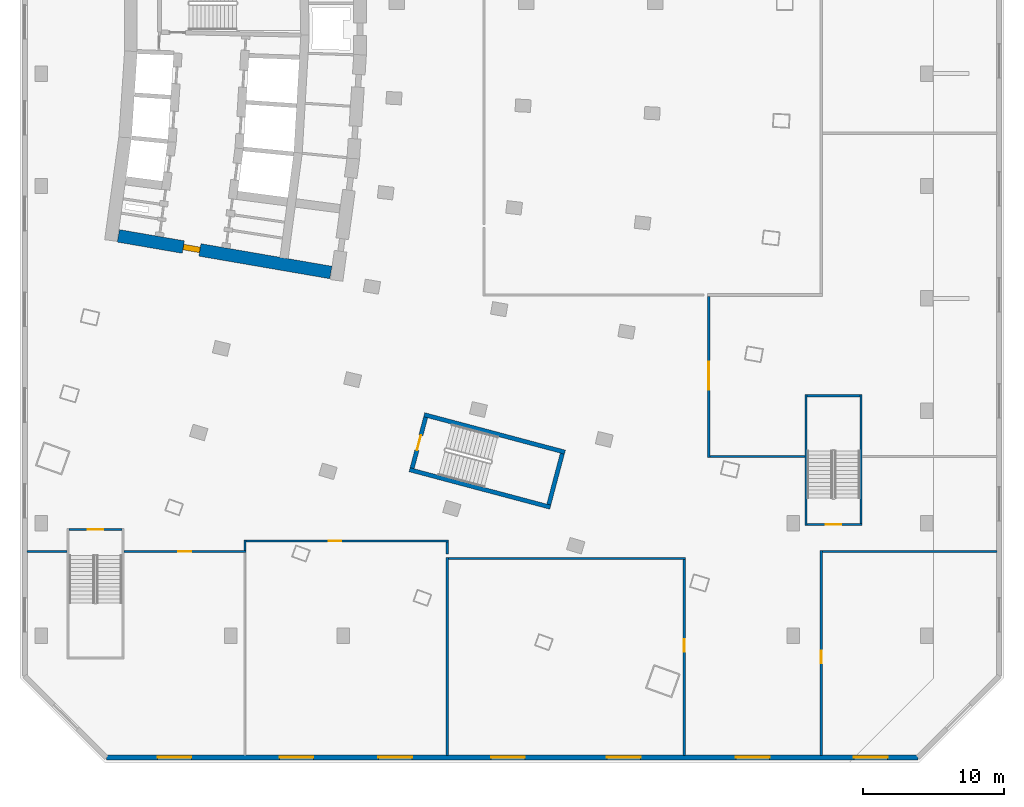
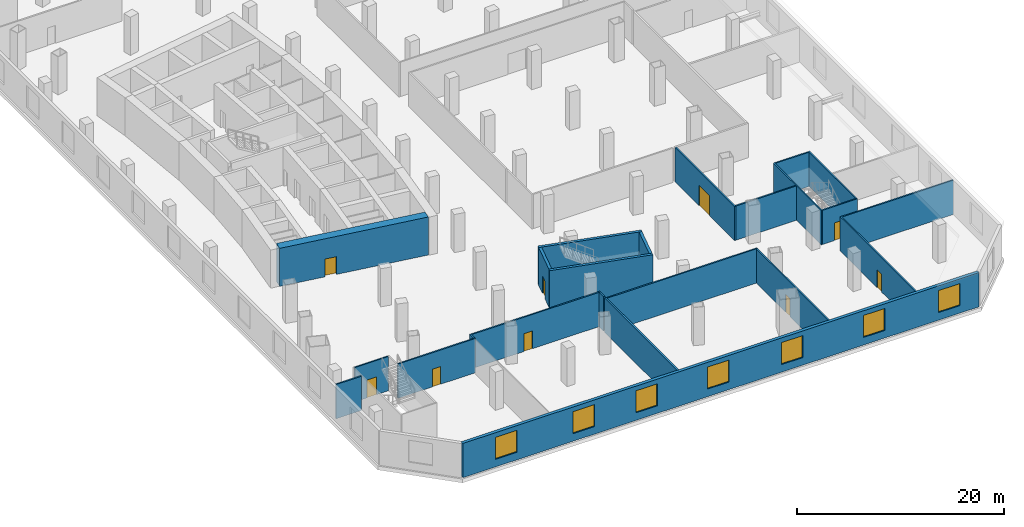
# One storey, part 2 of 16: 23 walls, 9 doors, 7 windows, 16 openings.
"""IFC4 building model written with IfcOpenShell, lengths in metres."""

import ifcopenshell
import ifcopenshell.guid

model = None  # the IFC model being written
_history = None  # IfcOwnerHistory: only IFC2X3 demands one
_inside = {}  # id of a spatial element -> (the spatial element, [elements in it])
_under = {}  # id of a project, library or spatial element -> (it, [spatial elements below it])
_declared = {}  # id of a project -> (the project, [libraries it declares])
_typed = {}  # id of a type object -> (the type object, [elements of that type])
_made_of = {}  # id of a material, layer set ... -> (it, [elements and type objects made of it])


def new_model(schema):
    """Start an empty IFC model of exactly this schema.

    Asked for "IFC4X3", IfcOpenShell would pick the latest addendum, in which some entities
    have other attributes; the version numbers below select the first issue.
    IFC2X3 requires an IfcOwnerHistory on every rooted entity: one is made here for all.
    """
    global model, _history
    if schema == "IFC4X3":
        model = ifcopenshell.file(schema_version=(4, 3, 0, 0))
    else:
        model = ifcopenshell.file(schema=schema)
    _inside.clear()
    _under.clear()
    _declared.clear()
    _typed.clear()
    _made_of.clear()
    _history = None
    if model.schema == "IFC2X3":
        org = make("IfcOrganization", Name="unknown")
        user = make(
            "IfcPersonAndOrganization",
            ThePerson=make("IfcPerson", FamilyName="unknown"),
            TheOrganization=org,
        )
        app = make(
            "IfcApplication",
            ApplicationDeveloper=org,
            Version="unknown",
            ApplicationFullName="unknown",
            ApplicationIdentifier="unknown",
        )
        _history = make(
            "IfcOwnerHistory",
            OwningUser=user,
            OwningApplication=app,
            ChangeAction="ADDED",
            CreationDate=0,
        )
    return model


def make(cls, **values):
    """One entity of the class cls with the attributes given. An attribute that is None is left unset."""
    return model.create_entity(
        cls, **{name: value for name, value in values.items() if value is not None}
    )


def rooted(cls, **values):
    """An entity with a GlobalId (a new one), such as an element, a storey or a relation."""
    return make(cls, GlobalId=ifcopenshell.guid.new(), OwnerHistory=_history, **values)


def si_unit(unit_type, name, prefix=None):
    """IfcSIUnit, for example si_unit("LENGTHUNIT", "METRE", prefix="MILLI")."""
    return make("IfcSIUnit", UnitType=unit_type, Prefix=prefix, Name=name)


def assignment(units):
    """IfcUnitAssignment: the units of a project."""
    return None if units is None else make("IfcUnitAssignment", Units=units)


def point(xyz):
    """IfcCartesianPoint."""
    return None if xyz is None else make("IfcCartesianPoint", Coordinates=xyz)


def direction(xyz):
    """IfcDirection."""
    return None if xyz is None else make("IfcDirection", DirectionRatios=xyz)


def frame(location, z_axis=None, x_axis=None):
    """IfcAxis2Placement3D, a coordinate frame: its origin and axes. An axis left out is left unset."""
    return make(
        "IfcAxis2Placement3D",
        Location=point(location),
        Axis=direction(z_axis),
        RefDirection=direction(x_axis),
    )


def frame_2d(location, x_axis=None):
    """IfcAxis2Placement2D, a coordinate frame in the plane: its origin and x axis."""
    return make(
        "IfcAxis2Placement2D", Location=point(location), RefDirection=direction(x_axis)
    )


def origin():
    """The frame at (0, 0, 0) with its axes left unset."""
    return frame((0.0, 0.0, 0.0))


def place(relative_to, where):
    """IfcLocalPlacement: puts the frame where relative to a parent placement (None: the world)."""
    return make(
        "IfcLocalPlacement", PlacementRelTo=relative_to, RelativePlacement=where
    )


def context(
    kind, dimensions, precision=None, world=None, true_north=None, identifier=None
):
    """IfcGeometricRepresentationContext, for example the 3D "Model" context."""
    return make(
        "IfcGeometricRepresentationContext",
        ContextIdentifier=identifier,
        ContextType=kind,
        CoordinateSpaceDimension=dimensions,
        Precision=precision,
        WorldCoordinateSystem=world,
        TrueNorth=true_north,
    )


def subcontext(parent, identifier, kind, view, scale=None):
    """IfcGeometricRepresentationSubContext, for example "Body" below "Model"."""
    return make(
        "IfcGeometricRepresentationSubContext",
        ContextIdentifier=identifier,
        ContextType=kind,
        ParentContext=parent,
        TargetScale=scale,
        TargetView=view,
    )


def project(units=None, contexts=None):
    """IfcProject with its units and contexts."""
    return rooted(
        "IfcProject",
        Name="project",
        RepresentationContexts=contexts,
        UnitsInContext=assignment(units),
    )


def spatial(cls, under=None, at=None, **own):
    """A site, building, storey or space (cls), placed at a placement, below another one or the project."""
    s = rooted(cls, ObjectPlacement=at, **own)
    if under is not None:
        _under.setdefault(under.id(), (under, []))[1].append(s)
    return s


def profile(cls, at=None, kind="AREA", **sizes):
    """A parametric profile (cls). Its sizes go by their IFC names, for example OverallWidth=200.0."""
    return make(cls, ProfileType=kind, Position=at, **sizes)


def rectangle(**sizes):
    """IfcRectangleProfileDef."""
    return profile("IfcRectangleProfileDef", **sizes)


def extrude(swept, where, along, depth):
    """IfcExtrudedAreaSolid: the profile swept, set in the frame where, extruded along a direction by depth."""
    return make(
        "IfcExtrudedAreaSolid",
        SweptArea=swept,
        Position=where,
        ExtrudedDirection=direction(along),
        Depth=depth,
    )


def shape(context_of_items, identifier, shape_type, items):
    """IfcShapeRepresentation: the items that make up one representation, for example the "Body"."""
    return make(
        "IfcShapeRepresentation",
        ContextOfItems=context_of_items,
        RepresentationIdentifier=identifier,
        RepresentationType=shape_type,
        Items=items,
    )


def material(Name=None, Category=None):
    """IfcMaterial."""
    return make("IfcMaterial", Name=Name, Category=Category)


def layer(
    of_material, thickness, ventilated=None, Name=None, Category=None, Priority=None
):
    """IfcMaterialLayer: one layer of a wall or slab, of a material (None: an air gap)."""
    return make(
        "IfcMaterialLayer",
        Material=of_material,
        LayerThickness=thickness,
        IsVentilated=ventilated,
        Name=Name,
        Category=Category,
        Priority=Priority,
    )


def layer_set(layers, Name=None):
    """IfcMaterialLayerSet."""
    return make("IfcMaterialLayerSet", MaterialLayers=layers, LayerSetName=Name)


def made_of(thing, what):
    """Note that an element or type object is made of a material, layer set ...; save() writes the relation."""
    if what is not None:
        _made_of.setdefault(what.id(), (what, []))[1].append(thing)
    return thing


def type_object(cls, material=None, **own):
    """A type object (cls), such as IfcWallType, which elements share."""
    return made_of(rooted(cls, **own), material)


def element(
    cls,
    number,
    at=None,
    inside=None,
    cuts=None,
    type_object=None,
    material=None,
    context=None,
    identifier="Body",
    shape_type=None,
    held_by="IfcProductDefinitionShape",
    body=None,
    shapes=None,
    **own,
):
    """One element of the class cls, such as IfcWall. Its Tag is "e" and its number.

    at: its placement. inside: the storey or other place that contains it. cuts: it is an
    opening in that element (IfcRelVoidsElement). A single representation is given by context,
    identifier, shape_type and body (its items); several are given by shapes. held_by: the class
    of the entity that holds the representations. save() writes the other relations.
    """
    e = rooted(cls, Tag="e%d" % number, ObjectPlacement=at, **own)
    if body is not None:
        shapes = [shape(context, identifier, shape_type, body)]
    if shapes is not None:
        e.Representation = make(held_by, Representations=shapes)
    if inside is not None:
        _inside.setdefault(inside.id(), (inside, []))[1].append(e)
    if cuts is not None:
        rooted(
            "IfcRelVoidsElement", RelatingBuildingElement=cuts, RelatedOpeningElement=e
        )
    if type_object is not None:
        _typed.setdefault(type_object.id(), (type_object, []))[1].append(e)
    return made_of(e, material)


def fill(opening, filler):
    """IfcRelFillsElement: the door or window that sits in an opening."""
    return rooted(
        "IfcRelFillsElement",
        RelatingOpeningElement=opening,
        RelatedBuildingElement=filler,
    )


def aggregate(whole, parts):
    """IfcRelAggregates: a whole, such as a stair, and the parts it consists of."""
    return rooted("IfcRelAggregates", RelatingObject=whole, RelatedObjects=parts)


def save(model, path):
    """Write the relations noted so far, then the file.

    IfcRelAggregates (storeys below a building ...), IfcRelContainedInSpatialStructure (elements
    in a storey), IfcRelDefinesByType, IfcRelAssociatesMaterial and IfcRelDeclares: one each for
    every whole, place, type object, material and project.
    """
    for whole, parts in _under.values():
        aggregate(whole, parts)
    for where, things in _inside.values():
        rooted(
            "IfcRelContainedInSpatialStructure",
            RelatedElements=things,
            RelatingStructure=where,
        )
    for kind, things in _typed.values():
        rooted("IfcRelDefinesByType", RelatedObjects=things, RelatingType=kind)
    for what, things in _made_of.values():
        rooted("IfcRelAssociatesMaterial", RelatedObjects=things, RelatingMaterial=what)
    for by, libraries in _declared.values():
        rooted("IfcRelDeclares", RelatingContext=by, RelatedDefinitions=libraries)
    model.write(path)


model = new_model("IFC4")

# Units and contexts
model_context = context("Model", 3, precision=1e-05, world=origin(), true_north=direction((0.0, 1.0)))
body_context = subcontext(model_context, "Body", "Model", "MODEL_VIEW")
ifc_project = project(units=[si_unit("LENGTHUNIT", "METRE"), si_unit("AREAUNIT", "SQUARE_METRE"), si_unit("VOLUMEUNIT", "CUBIC_METRE"), si_unit("PLANEANGLEUNIT", "RADIAN"), si_unit("MASSUNIT", "GRAM", prefix="KILO")], contexts=[model_context])

# Site, building, storey
site_placement = place(None, origin())
site = spatial("IfcSite", under=ifc_project, at=site_placement, CompositionType="ELEMENT")
building_placement = place(site_placement, origin())
building = spatial("IfcBuilding", under=site, at=building_placement, Name="Alderwake Tower", CompositionType="ELEMENT")
storey_placement = place(building_placement, frame((0.0, 0.0, 18.5)))
storey = spatial("IfcBuildingStorey", under=building, at=storey_placement, Name="L03", CompositionType="ELEMENT", Elevation=18.5)

# Wall, opening, door
ifc_material_1 = material(Name="Concrete C70/85", Category="concrete")
ifc_layer_1 = layer(ifc_material_1, 0.89990234375)
ifc_layer_set_1 = layer_set([ifc_layer_1], Name="Core wall outer 900 C70-85")
wall_type_1 = type_object("IfcWallType", Name="Core wall outer 900 C70-85", PredefinedType="SHEAR", material=ifc_layer_set_1)
wall_1_placement = place(storey_placement, frame((31.11328125, 41.846923828125, 0.0), z_axis=(0.0, 0.0, 1.0), x_axis=(-0.985466640605, 0.169869067972, 0.0)))
wall_1 = element("IfcWall", 1, at=wall_1_placement, inside=storey, type_object=wall_type_1, Name="Core wall CW.070", PredefinedType="SHEAR", context=body_context, shape_type="SweptSolid", body=[
    extrude(rectangle(XDim=15.336669921875, YDim=0.89990234375, at=frame_2d((7.66845703125, 0.0))), origin(), (0.0, 0.0, 1.0), 4.5),
])
opening_1_placement = place(wall_1_placement, frame((9.451904296875, 0.0, 0.0)))
opening_1 = element("IfcOpeningElement", 2, at=opening_1_placement, cuts=wall_1, Name="Opening C003", PredefinedType="OPENING", context=body_context, shape_type="SweptSolid", body=[
    extrude(rectangle(XDim=1.199951171875, YDim=2.10009765625, at=frame_2d((0.60009765625, 1.050048828125))), frame((0.0, 0.4599609375, 0.0), z_axis=(0.0, -1.0, 0.0), x_axis=(1.0, 0.0, 0.0)), (0.0, 0.0, 1.0), 0.919921875),
])
ifc_material_2 = material(Name="Steel-framed fire door leaf", Category="steel")
door_type_1 = type_object("IfcDoorType", Name="Core lobby exit door 1200 fire-rated", OperationType="SINGLE_SWING_LEFT", PredefinedType="DOOR", material=ifc_material_2)
door_1_placement = place(opening_1_placement, origin())
door_1 = element("IfcDoor", 3, at=door_1_placement, inside=storey, type_object=door_type_1, Name="Lobby door", OperationType="SINGLE_SWING_LEFT", OverallHeight=2.10009765625, OverallWidth=1.199951171875, PredefinedType="DOOR", context=body_context, shape_type="SweptSolid", body=[
    extrude(rectangle(XDim=1.199951171875, YDim=2.10009765625, at=frame_2d((0.60009765625, 1.050048828125))), frame((0.0, 0.199951171875, 0.0), z_axis=(0.0, -1.0, 0.0), x_axis=(1.0, 0.0, 0.0)), (0.0, 0.0, 1.0), 0.39990234375),
])
fill(opening_1, door_1)

# Walls
ifc_material_3 = material(Name="Concrete C70/85", Category="concrete")
ifc_layer_2 = layer(ifc_material_3, 0.300048828125)
ifc_layer_set_2 = layer_set([ifc_layer_2], Name="Core wall stair enclosure 300 C70-85")
wall_type_2 = type_object("IfcWallType", Name="Core wall stair enclosure 300 C70-85", PredefinedType="SHEAR", material=ifc_layer_set_2)
for number, where, z_axis, x_axis, name in (
    (4, (37.75390625, 31.731201171875, 0.0), (0.0, 0.0, 1.0), (0.966309214305, -0.257383958996, 0.0), "Core wall CW.086"),
    (5, (36.71142578125, 27.817626953125, 0.0), (0.0, 0.0, 1.0), (0.966309214305, -0.257383958996, 0.0), "Core wall CW.088"),
):
    element("IfcWall", number, at=place(storey_placement, frame(where, z_axis=z_axis, x_axis=x_axis)), inside=storey, type_object=wall_type_2, Name=name, PredefinedType="SHEAR", context=body_context, shape_type="SweptSolid", body=[
        extrude(rectangle(XDim=10.360107421875, YDim=0.300048828125, at=frame_2d((5.18017578125, 0.0))), origin(), (0.0, 0.0, 1.0), 4.5),
    ])

# Wall, opening, door
wall_2_placement = place(storey_placement, frame((36.89501953125, 27.923828125, 0.0), z_axis=(0.0, 0.0, 1.0), x_axis=(0.257350630826, 0.966318090907, 0.0)))
wall_2 = element("IfcWall", 6, at=wall_2_placement, inside=storey, type_object=wall_type_2, Name="Core wall CW.087", PredefinedType="SHEAR", context=body_context, shape_type="SweptSolid", body=[
    extrude(rectangle(XDim=3.75, YDim=0.300048828125, at=frame_2d((1.875, 0.0))), origin(), (0.0, 0.0, 1.0), 4.5),
])
opening_2_placement = place(wall_2_placement, frame((1.324951171875, 0.0, 0.0)))
opening_2 = element("IfcOpeningElement", 7, at=opening_2_placement, cuts=wall_2, Name="Opening C065", PredefinedType="OPENING", context=body_context, shape_type="SweptSolid", body=[
    extrude(rectangle(XDim=1.10009765625, YDim=2.10009765625, at=frame_2d((0.550048828125, 1.050048828125))), frame((0.0, 0.159912109375, 0.0), z_axis=(0.0, -1.0, 0.0), x_axis=(1.0, 0.0, 0.0)), (0.0, 0.0, 1.0), 0.320068359375),
])
ifc_material_4 = material(Name="Steel-framed fire door leaf", Category="steel")
door_type_2 = type_object("IfcDoorType", Name="Core stair door 1100 fire-rated", OperationType="SINGLE_SWING_LEFT", PredefinedType="DOOR", material=ifc_material_4)
door_2_placement = place(opening_2_placement, origin())
door_2 = element("IfcDoor", 8, at=door_2_placement, inside=storey, type_object=door_type_2, Name="Stair door", OperationType="SINGLE_SWING_LEFT", OverallHeight=2.10009765625, OverallWidth=1.10009765625, PredefinedType="DOOR", context=body_context, shape_type="SweptSolid", body=[
    extrude(rectangle(XDim=1.10009765625, YDim=2.10009765625, at=frame_2d((0.550048828125, 1.050048828125))), frame((0.0, 0.02490234375, 0.0), z_axis=(0.0, -1.0, 0.0), x_axis=(1.0, 0.0, 0.0)), (0.0, 0.0, 1.0), 0.050048828125),
])
fill(opening_2, door_2)

# Walls
wall_3_placement = place(storey_placement, frame((46.6162109375, 25.334716796875, 0.0), z_axis=(0.0, 0.0, 1.0), x_axis=(0.257366821694, 0.966313778796, 0.0)))
element("IfcWall", 9, at=wall_3_placement, inside=storey, type_object=wall_type_2, Name="Core wall CW.085", PredefinedType="SHEAR", context=body_context, shape_type="SweptSolid", body=[
    extrude(rectangle(XDim=3.749755859375, YDim=0.300048828125, at=frame_2d((1.875, 0.0))), origin(), (0.0, 0.0, 1.0), 4.5),
])
ifc_material_5 = material(Name="Gypsum board on metal studs, rated")
ifc_layer_3 = layer(ifc_material_5, 0.159912109375)
ifc_layer_set_3 = layer_set([ifc_layer_3], Name="Corridor wall 160")
wall_type_3 = type_object("IfcWallType", Name="Corridor wall 160", PredefinedType="PARTITIONING", material=ifc_layer_set_3)
wall_4_placement = place(storey_placement, frame((9.5009765625, 21.9990234375, 0.0), z_axis=(0.0, 0.0, 1.0), x_axis=(1.0, 0.0, 0.0)))
element("IfcWall", 10, at=wall_4_placement, inside=storey, type_object=wall_type_3, Name="WL/L03/W26", PredefinedType="PARTITIONING", context=body_context, shape_type="SweptSolid", body=[
    extrude(rectangle(XDim=2.85009765625, YDim=0.159912109375, at=frame_2d((1.425048828125, 0.0))), origin(), (0.0, 0.0, 1.0), 4.050048828125),
])

# Wall, opening, door
wall_5_placement = place(storey_placement, frame((16.40087890625, 21.9990234375, 0.0), z_axis=(0.0, 0.0, 1.0), x_axis=(1.0, 0.0, 0.0)))
wall_5 = element("IfcWall", 11, at=wall_5_placement, inside=storey, type_object=wall_type_3, Name="WL/L03/W27", PredefinedType="PARTITIONING", context=body_context, shape_type="SweptSolid", body=[
    extrude(rectangle(XDim=8.67822265625, YDim=0.159912109375, at=frame_2d((4.339111328125, 0.0))), origin(), (0.0, 0.0, 1.0), 4.050048828125),
])
opening_3_placement = place(wall_5_placement, frame((3.8740234375, 0.0, 0.0)))
opening_3 = element("IfcOpeningElement", 12, at=opening_3_placement, cuts=wall_5, Name="Opening L03-07", PredefinedType="OPENING", context=body_context, shape_type="SweptSolid", body=[
    extrude(rectangle(XDim=0.89990234375, YDim=2.10009765625, at=frame_2d((0.449951171875, 1.050048828125))), frame((0.0, 0.08984375, 0.0), z_axis=(0.0, -1.0, 0.0), x_axis=(1.0, 0.0, 0.0)), (0.0, 0.0, 1.0), 0.179931640625),
])
ifc_material_6 = material(Name="Painted timber leaf", Category="wood")
door_type_3 = type_object("IfcDoorType", Name="Room door 900", OperationType="SINGLE_SWING_LEFT", PredefinedType="DOOR", material=ifc_material_6)
door_3_placement = place(opening_3_placement, origin())
door_3 = element("IfcDoor", 13, at=door_3_placement, inside=storey, type_object=door_type_3, Name="DR/L03/07", OperationType="SINGLE_SWING_LEFT", OverallHeight=2.10009765625, OverallWidth=0.89990234375, PredefinedType="DOOR", context=body_context, shape_type="SweptSolid", body=[
    extrude(rectangle(XDim=0.89990234375, YDim=2.10009765625, at=frame_2d((0.449951171875, 1.050048828125))), frame((0.0, 0.02490234375, 0.0), z_axis=(0.0, -1.0, 0.0), x_axis=(1.0, 0.0, 0.0)), (0.0, 0.0, 1.0), 0.050048828125),
])
fill(opening_3, door_3)

# Wall
wall_6_placement = place(storey_placement, frame((24.9990234375, 22.0791015625, 0.0), z_axis=(0.0, 0.0, 1.0), x_axis=(0.0, 1.0, 0.0)))
element("IfcWall", 14, at=wall_6_placement, inside=storey, type_object=wall_type_3, Name="WL/L03/W28", PredefinedType="PARTITIONING", context=body_context, shape_type="SweptSolid", body=[
    extrude(rectangle(XDim=0.75, YDim=0.159912109375, at=frame_2d((0.375, 0.0))), origin(), (0.0, 0.0, 1.0), 4.050048828125),
])

# Wall, opening, door
wall_7_placement = place(storey_placement, frame((25.0791015625, 22.7490234375, 0.0), z_axis=(0.0, 0.0, 1.0), x_axis=(1.0, 0.0, 0.0)))
wall_7 = element("IfcWall", 15, at=wall_7_placement, inside=storey, type_object=wall_type_3, Name="WL/L03/W29", PredefinedType="PARTITIONING", context=body_context, shape_type="SweptSolid", body=[
    extrude(rectangle(XDim=14.39990234375, YDim=0.159912109375, at=frame_2d((7.199951171875, 0.0))), origin(), (0.0, 0.0, 1.0), 4.050048828125),
])
opening_4_placement = place(wall_7_placement, frame((5.87109375, 0.0, 0.0)))
opening_4 = element("IfcOpeningElement", 16, at=opening_4_placement, cuts=wall_7, Name="Opening L03-08", PredefinedType="OPENING", context=body_context, shape_type="SweptSolid", body=[
    extrude(rectangle(XDim=0.89990234375, YDim=2.10009765625, at=frame_2d((0.449951171875, 1.050048828125))), frame((0.0, 0.08984375, 0.0), z_axis=(0.0, -1.0, 0.0), x_axis=(1.0, 0.0, 0.0)), (0.0, 0.0, 1.0), 0.179931640625),
])
door_4_placement = place(opening_4_placement, origin())
door_4 = element("IfcDoor", 17, at=door_4_placement, inside=storey, type_object=door_type_3, Name="DR/L03/08", OperationType="SINGLE_SWING_LEFT", OverallHeight=2.10009765625, OverallWidth=0.89990234375, PredefinedType="DOOR", context=body_context, shape_type="SweptSolid", body=[
    extrude(rectangle(XDim=0.89990234375, YDim=2.10009765625, at=frame_2d((0.449951171875, 1.050048828125))), frame((0.0, 0.02490234375, 0.0), z_axis=(0.0, -1.0, 0.0), x_axis=(1.0, 0.0, 0.0)), (0.0, 0.0, 1.0), 0.050048828125),
])
fill(opening_4, door_4)

# Walls
wall_8_placement = place(storey_placement, frame((39.4990234375, 21.5009765625, 0.0), z_axis=(0.0, 0.0, 1.0), x_axis=(1.0, 0.0, 0.0)))
element("IfcWall", 18, at=wall_8_placement, inside=storey, type_object=wall_type_3, Name="WL/L03/W33", PredefinedType="PARTITIONING", context=body_context, shape_type="SweptSolid", body=[
    extrude(rectangle(XDim=16.8310546875, YDim=0.159912109375, at=frame_2d((8.41552734375, 0.0))), origin(), (0.0, 0.0, 1.0), 4.050048828125),
])
wall_9_placement = place(storey_placement, frame((39.39892578125, 22.6689453125, 0.0), z_axis=(0.0, 0.0, 1.0), x_axis=(0.0, -1.0, 0.0)))
element("IfcWall", 19, at=wall_9_placement, inside=storey, type_object=wall_type_3, Name="WL/L03/W34", PredefinedType="PARTITIONING", context=body_context, shape_type="SweptSolid", body=[
    extrude(rectangle(XDim=0.834716796875, YDim=0.159912109375, at=frame_2d((0.41748046875, 0.0))), origin(), (0.0, 0.0, 1.0), 4.050048828125),
])

# Wall, opening, door
wall_10_placement = place(storey_placement, frame((56.25, 21.4208984375, 0.0), z_axis=(0.0, 0.0, 1.0), x_axis=(0.0, -1.0, 0.0)))
wall_10 = element("IfcWall", 20, at=wall_10_placement, inside=storey, type_object=wall_type_3, Name="WL/L03/W40", PredefinedType="PARTITIONING", context=body_context, shape_type="SweptSolid", body=[
    extrude(rectangle(XDim=13.9208984375, YDim=0.159912109375, at=frame_2d((6.96044921875, 0.0))), origin(), (0.0, 0.0, 1.0), 4.050048828125),
])
opening_5_placement = place(wall_10_placement, frame((5.6708984375, 0.0, 0.0)))
opening_5 = element("IfcOpeningElement", 21, at=opening_5_placement, cuts=wall_10, Name="Opening L03-09", PredefinedType="OPENING", context=body_context, shape_type="SweptSolid", body=[
    extrude(rectangle(XDim=0.89990234375, YDim=2.10009765625, at=frame_2d((0.449951171875, 1.050048828125))), frame((0.0, 0.08984375, 0.0), z_axis=(0.0, -1.0, 0.0), x_axis=(1.0, 0.0, 0.0)), (0.0, 0.0, 1.0), 0.179931640625),
])
door_5_placement = place(opening_5_placement, origin())
door_5 = element("IfcDoor", 22, at=door_5_placement, inside=storey, type_object=door_type_3, Name="DR/L03/09", OperationType="SINGLE_SWING_LEFT", OverallHeight=2.10009765625, OverallWidth=0.89990234375, PredefinedType="DOOR", context=body_context, shape_type="SweptSolid", body=[
    extrude(rectangle(XDim=0.89990234375, YDim=2.10009765625, at=frame_2d((0.449951171875, 1.050048828125))), frame((0.0, 0.02490234375, 0.0), z_axis=(0.0, -1.0, 0.0), x_axis=(1.0, 0.0, 0.0)), (0.0, 0.0, 1.0), 0.050048828125),
])
fill(opening_5, door_5)

wall_11_placement = place(storey_placement, frame((57.9990234375, 28.6689453125, 0.0), z_axis=(0.0, 0.0, 1.0), x_axis=(0.0, 1.0, 0.0)))
wall_11 = element("IfcWall", 23, at=wall_11_placement, inside=storey, type_object=wall_type_3, Name="WL/L03/W41", PredefinedType="PARTITIONING", context=body_context, shape_type="SweptSolid", body=[
    extrude(rectangle(XDim=11.48193359375, YDim=0.159912109375, at=frame_2d((5.740966796875, 0.0))), origin(), (0.0, 0.0, 1.0), 4.050048828125),
])
opening_6_placement = place(wall_11_placement, frame((4.8310546875, 0.0, 0.0)))
opening_6 = element("IfcOpeningElement", 24, at=opening_6_placement, cuts=wall_11, Name="Opening L03-11", PredefinedType="OPENING", context=body_context, shape_type="SweptSolid", body=[
    extrude(rectangle(XDim=2.0, YDim=2.39990234375, at=frame_2d((1.0, 1.199951171875))), frame((0.0, 0.08984375, 0.0), z_axis=(0.0, -1.0, 0.0), x_axis=(1.0, 0.0, 0.0)), (0.0, 0.0, 1.0), 0.179931640625),
])
ifc_material_7 = material(Name="Timber leaves with glazed panels", Category="wood")
door_type_4 = type_object("IfcDoorType", Name="Hall double door 2000", OperationType="DOUBLE_DOOR_SINGLE_SWING", PredefinedType="DOOR", material=ifc_material_7)
door_6_placement = place(opening_6_placement, origin())
door_6 = element("IfcDoor", 25, at=door_6_placement, inside=storey, type_object=door_type_4, Name="DR/L03/11", OperationType="DOUBLE_DOOR_SINGLE_SWING", OverallHeight=2.39990234375, OverallWidth=2.0, PredefinedType="DOOR", context=body_context, shape_type="SweptSolid", body=[
    extrude(rectangle(XDim=2.0, YDim=2.39990234375, at=frame_2d((1.0, 1.199951171875))), frame((0.0, 0.02490234375, 0.0), z_axis=(0.0, -1.0, 0.0), x_axis=(1.0, 0.0, 0.0)), (0.0, 0.0, 1.0), 0.050048828125),
])
fill(opening_6, door_6)

# Wall
wall_12_placement = place(storey_placement, frame((64.85107421875, 28.7490234375, 0.0), z_axis=(0.0, 0.0, 1.0), x_axis=(-1.0, 0.0, 0.0)))
element("IfcWall", 26, at=wall_12_placement, inside=storey, type_object=wall_type_3, Name="WL/L03/W43", PredefinedType="PARTITIONING", context=body_context, shape_type="SweptSolid", body=[
    extrude(rectangle(XDim=6.77197265625, YDim=0.159912109375, at=frame_2d((3.385986328125, 0.0))), origin(), (0.0, 0.0, 1.0), 4.050048828125),
])

# Wall, opening, door
wall_13_placement = place(storey_placement, frame((66.0, 7.5, 0.0), z_axis=(0.0, 0.0, 1.0), x_axis=(0.0, 1.0, 0.0)))
wall_13 = element("IfcWall", 27, at=wall_13_placement, inside=storey, type_object=wall_type_3, Name="WL/L03/W44", PredefinedType="PARTITIONING", context=body_context, shape_type="SweptSolid", body=[
    extrude(rectangle(XDim=14.5791015625, YDim=0.159912109375, at=frame_2d((7.28955078125, 0.0))), origin(), (0.0, 0.0, 1.0), 4.050048828125),
])
opening_7_placement = place(wall_13_placement, frame((6.550048828125, 0.0, 0.0)))
opening_7 = element("IfcOpeningElement", 28, at=opening_7_placement, cuts=wall_13, Name="Opening L03-10", PredefinedType="OPENING", context=body_context, shape_type="SweptSolid", body=[
    extrude(rectangle(XDim=0.89990234375, YDim=2.10009765625, at=frame_2d((0.449951171875, 1.050048828125))), frame((0.0, 0.08984375, 0.0), z_axis=(0.0, -1.0, 0.0), x_axis=(1.0, 0.0, 0.0)), (0.0, 0.0, 1.0), 0.179931640625),
])
door_7_placement = place(opening_7_placement, origin())
door_7 = element("IfcDoor", 29, at=door_7_placement, inside=storey, type_object=door_type_3, Name="DR/L03/10", OperationType="SINGLE_SWING_LEFT", OverallHeight=2.10009765625, OverallWidth=0.89990234375, PredefinedType="DOOR", context=body_context, shape_type="SweptSolid", body=[
    extrude(rectangle(XDim=0.89990234375, YDim=2.10009765625, at=frame_2d((0.449951171875, 1.050048828125))), frame((0.0, 0.02490234375, 0.0), z_axis=(0.0, -1.0, 0.0), x_axis=(1.0, 0.0, 0.0)), (0.0, 0.0, 1.0), 0.050048828125),
])
fill(opening_7, door_7)

# Wall
wall_14_placement = place(storey_placement, frame((66.080078125, 21.9990234375, 0.0), z_axis=(0.0, 0.0, 1.0), x_axis=(1.0, 0.0, 0.0)))
element("IfcWall", 30, at=wall_14_placement, inside=storey, type_object=wall_type_3, Name="WL/L03/W45", PredefinedType="PARTITIONING", context=body_context, shape_type="SweptSolid", body=[
    extrude(rectangle(XDim=12.4208984375, YDim=0.159912109375, at=frame_2d((6.21044921875, 0.0))), origin(), (0.0, 0.0, 1.0), 4.050048828125),
])

# Wall, openings, windows
ifc_material_8 = material(Name="Precast concrete C50/60 spandrel panel", Category="concrete")
ifc_layer_4 = layer(ifc_material_8, 0.35009765625)
ifc_layer_set_4 = layer_set([ifc_layer_4], Name="External wall EW4 Precast concrete C50/60 podium")
wall_type_4 = type_object("IfcWallType", Name="External wall EW4 Precast concrete C50/60 podium", PredefinedType="SOLIDWALL", material=ifc_layer_set_4)
wall_15_placement = place(storey_placement, frame((15.14501953125, 7.35009765625, 0.0), z_axis=(0.0, 0.0, 1.0), x_axis=(1.0, 0.0, 0.0)))
wall_15 = element("IfcWall", 31, at=wall_15_placement, inside=storey, type_object=wall_type_4, Name="External wall 1", PredefinedType="SOLIDWALL", context=body_context, shape_type="SweptSolid", body=[
    extrude(rectangle(XDim=57.72509765625, YDim=0.35009765625, at=frame_2d((28.862548828125, 0.0))), origin(), (0.0, 0.0, 1.0), 4.050048828125),
])
opening_8_placement = place(wall_15_placement, frame((3.652099609375, 0.0, 0.89990234375)))
opening_8 = element("IfcOpeningElement", 32, at=opening_8_placement, cuts=wall_15, Name="Opening W6", PredefinedType="OPENING", context=body_context, shape_type="SweptSolid", body=[
    extrude(rectangle(XDim=2.39990234375, YDim=2.60009765625, at=frame_2d((1.199951171875, 1.300048828125))), frame((0.0, 0.18505859375, 0.0), z_axis=(0.0, -1.0, 0.0), x_axis=(1.0, 0.0, 0.0)), (0.0, 0.0, 1.0), 0.3701171875),
])
opening_9_placement = place(wall_15_placement, frame((12.31640625, 0.0, 0.89990234375)))
opening_9 = element("IfcOpeningElement", 33, at=opening_9_placement, cuts=wall_15, Name="Opening W6", PredefinedType="OPENING", context=body_context, shape_type="SweptSolid", body=[
    extrude(rectangle(XDim=2.39990234375, YDim=2.60009765625, at=frame_2d((1.199951171875, 1.300048828125))), frame((0.0, 0.18505859375, 0.0), z_axis=(0.0, -1.0, 0.0), x_axis=(1.0, 0.0, 0.0)), (0.0, 0.0, 1.0), 0.3701171875),
])
opening_10_placement = place(wall_15_placement, frame((19.341552734375, 0.0, 0.89990234375)))
opening_10 = element("IfcOpeningElement", 34, at=opening_10_placement, cuts=wall_15, Name="Opening W6", PredefinedType="OPENING", context=body_context, shape_type="SweptSolid", body=[
    extrude(rectangle(XDim=2.39990234375, YDim=2.60009765625, at=frame_2d((1.199951171875, 1.300048828125))), frame((0.0, 0.18505859375, 0.0), z_axis=(0.0, -1.0, 0.0), x_axis=(1.0, 0.0, 0.0)), (0.0, 0.0, 1.0), 0.3701171875),
])
opening_11_placement = place(wall_15_placement, frame((27.371826171875, 0.0, 0.89990234375)))
opening_11 = element("IfcOpeningElement", 35, at=opening_11_placement, cuts=wall_15, Name="Opening W6", PredefinedType="OPENING", context=body_context, shape_type="SweptSolid", body=[
    extrude(rectangle(XDim=2.39990234375, YDim=2.60009765625, at=frame_2d((1.199951171875, 1.300048828125))), frame((0.0, 0.18505859375, 0.0), z_axis=(0.0, -1.0, 0.0), x_axis=(1.0, 0.0, 0.0)), (0.0, 0.0, 1.0), 0.3701171875),
])
opening_12_placement = place(wall_15_placement, frame((35.607421875, 0.0, 0.89990234375)))
opening_12 = element("IfcOpeningElement", 36, at=opening_12_placement, cuts=wall_15, Name="Opening W6", PredefinedType="OPENING", context=body_context, shape_type="SweptSolid", body=[
    extrude(rectangle(XDim=2.39990234375, YDim=2.60009765625, at=frame_2d((1.199951171875, 1.300048828125))), frame((0.0, 0.18505859375, 0.0), z_axis=(0.0, -1.0, 0.0), x_axis=(1.0, 0.0, 0.0)), (0.0, 0.0, 1.0), 0.3701171875),
])
opening_13_placement = place(wall_15_placement, frame((44.780029296875, 0.0, 0.89990234375)))
opening_13 = element("IfcOpeningElement", 37, at=opening_13_placement, cuts=wall_15, Name="Opening W6", PredefinedType="OPENING", context=body_context, shape_type="SweptSolid", body=[
    extrude(rectangle(XDim=2.39990234375, YDim=2.60009765625, at=frame_2d((1.199951171875, 1.300048828125))), frame((0.0, 0.18505859375, 0.0), z_axis=(0.0, -1.0, 0.0), x_axis=(1.0, 0.0, 0.0)), (0.0, 0.0, 1.0), 0.3701171875),
])
opening_14_placement = place(wall_15_placement, frame((53.179931640625, 0.0, 0.89990234375)))
opening_14 = element("IfcOpeningElement", 38, at=opening_14_placement, cuts=wall_15, Name="Opening W6", PredefinedType="OPENING", context=body_context, shape_type="SweptSolid", body=[
    extrude(rectangle(XDim=2.39990234375, YDim=2.60009765625, at=frame_2d((1.199951171875, 1.300048828125))), frame((0.0, 0.18505859375, 0.0), z_axis=(0.0, -1.0, 0.0), x_axis=(1.0, 0.0, 0.0)), (0.0, 0.0, 1.0), 0.3701171875),
])
ifc_material_9 = material(Name="Bronze tinted glass in aluminium frame", Category="aluminium")
window_type = type_object("IfcWindowType", Name="Window W6 podium", PartitioningType="DOUBLE_PANEL_VERTICAL", PredefinedType="WINDOW", material=ifc_material_9)
window_1_placement = place(opening_8_placement, origin())
window_1 = element("IfcWindow", 39, at=window_1_placement, inside=storey, type_object=window_type, Name="Window W6 podium", OverallHeight=2.60009765625, OverallWidth=2.39990234375, PartitioningType="DOUBLE_PANEL_VERTICAL", PredefinedType="WINDOW", context=body_context, shape_type="SweptSolid", body=[
    extrude(rectangle(XDim=2.39990234375, YDim=2.60009765625, at=frame_2d((1.199951171875, 1.300048828125))), frame((0.0, 0.030029296875, 0.0), z_axis=(0.0, -1.0, 0.0), x_axis=(1.0, 0.0, 0.0)), (0.0, 0.0, 1.0), 0.06005859375),
])
fill(opening_8, window_1)
window_2_placement = place(opening_9_placement, origin())
window_2 = element("IfcWindow", 40, at=window_2_placement, inside=storey, type_object=window_type, Name="Window W6 podium", OverallHeight=2.60009765625, OverallWidth=2.39990234375, PartitioningType="DOUBLE_PANEL_VERTICAL", PredefinedType="WINDOW", context=body_context, shape_type="SweptSolid", body=[
    extrude(rectangle(XDim=2.39990234375, YDim=2.60009765625, at=frame_2d((1.199951171875, 1.300048828125))), frame((0.0, 0.030029296875, 0.0), z_axis=(0.0, -1.0, 0.0), x_axis=(1.0, 0.0, 0.0)), (0.0, 0.0, 1.0), 0.06005859375),
])
fill(opening_9, window_2)
window_3_placement = place(opening_10_placement, origin())
window_3 = element("IfcWindow", 41, at=window_3_placement, inside=storey, type_object=window_type, Name="Window W6 podium", OverallHeight=2.60009765625, OverallWidth=2.39990234375, PartitioningType="DOUBLE_PANEL_VERTICAL", PredefinedType="WINDOW", context=body_context, shape_type="SweptSolid", body=[
    extrude(rectangle(XDim=2.39990234375, YDim=2.60009765625, at=frame_2d((1.199951171875, 1.300048828125))), frame((0.0, 0.030029296875, 0.0), z_axis=(0.0, -1.0, 0.0), x_axis=(1.0, 0.0, 0.0)), (0.0, 0.0, 1.0), 0.06005859375),
])
fill(opening_10, window_3)
window_4_placement = place(opening_11_placement, origin())
window_4 = element("IfcWindow", 42, at=window_4_placement, inside=storey, type_object=window_type, Name="Window W6 podium", OverallHeight=2.60009765625, OverallWidth=2.39990234375, PartitioningType="DOUBLE_PANEL_VERTICAL", PredefinedType="WINDOW", context=body_context, shape_type="SweptSolid", body=[
    extrude(rectangle(XDim=2.39990234375, YDim=2.60009765625, at=frame_2d((1.199951171875, 1.300048828125))), frame((0.0, 0.030029296875, 0.0), z_axis=(0.0, -1.0, 0.0), x_axis=(1.0, 0.0, 0.0)), (0.0, 0.0, 1.0), 0.06005859375),
])
fill(opening_11, window_4)
window_5_placement = place(opening_12_placement, origin())
window_5 = element("IfcWindow", 43, at=window_5_placement, inside=storey, type_object=window_type, Name="Window W6 podium", OverallHeight=2.60009765625, OverallWidth=2.39990234375, PartitioningType="DOUBLE_PANEL_VERTICAL", PredefinedType="WINDOW", context=body_context, shape_type="SweptSolid", body=[
    extrude(rectangle(XDim=2.39990234375, YDim=2.60009765625, at=frame_2d((1.199951171875, 1.300048828125))), frame((0.0, 0.030029296875, 0.0), z_axis=(0.0, -1.0, 0.0), x_axis=(1.0, 0.0, 0.0)), (0.0, 0.0, 1.0), 0.06005859375),
])
fill(opening_12, window_5)
window_6_placement = place(opening_13_placement, origin())
window_6 = element("IfcWindow", 44, at=window_6_placement, inside=storey, type_object=window_type, Name="Window W6 podium", OverallHeight=2.60009765625, OverallWidth=2.39990234375, PartitioningType="DOUBLE_PANEL_VERTICAL", PredefinedType="WINDOW", context=body_context, shape_type="SweptSolid", body=[
    extrude(rectangle(XDim=2.39990234375, YDim=2.60009765625, at=frame_2d((1.199951171875, 1.300048828125))), frame((0.0, 0.030029296875, 0.0), z_axis=(0.0, -1.0, 0.0), x_axis=(1.0, 0.0, 0.0)), (0.0, 0.0, 1.0), 0.06005859375),
])
fill(opening_13, window_6)
window_7_placement = place(opening_14_placement, origin())
window_7 = element("IfcWindow", 45, at=window_7_placement, inside=storey, type_object=window_type, Name="Window W6 podium", OverallHeight=2.60009765625, OverallWidth=2.39990234375, PartitioningType="DOUBLE_PANEL_VERTICAL", PredefinedType="WINDOW", context=body_context, shape_type="SweptSolid", body=[
    extrude(rectangle(XDim=2.39990234375, YDim=2.60009765625, at=frame_2d((1.199951171875, 1.300048828125))), frame((0.0, 0.030029296875, 0.0), z_axis=(0.0, -1.0, 0.0), x_axis=(1.0, 0.0, 0.0)), (0.0, 0.0, 1.0), 0.06005859375),
])
fill(opening_14, window_7)

# Wall
ifc_material_10 = material(Name="Dense block masonry wall", Category="masonry")
ifc_layer_5 = layer(ifc_material_10, 0.199951171875)
ifc_layer_set_5 = layer_set([ifc_layer_5], Name="Party wall 200")
wall_type_5 = type_object("IfcWallType", Name="Party wall 200", PredefinedType="SOLIDWALL", material=ifc_layer_set_5)
wall_16_placement = place(storey_placement, frame((39.39892578125, 7.5, 0.0), z_axis=(0.0, 0.0, 1.0), x_axis=(0.0, 1.0, 0.0)))
element("IfcWall", 46, at=wall_16_placement, inside=storey, type_object=wall_type_5, Name="WL/L03/W03", PredefinedType="SOLIDWALL", context=body_context, shape_type="SweptSolid", body=[
    extrude(rectangle(XDim=14.0810546875, YDim=0.199951171875, at=frame_2d((7.04052734375, 0.0))), origin(), (0.0, 0.0, 1.0), 4.050048828125),
])

# Wall, opening, door
ifc_material_11 = material(Name="Gypsum shaft wall system, rated")
ifc_layer_6 = layer(ifc_material_11, 0.14990234375)
ifc_layer_set_6 = layer_set([ifc_layer_6], Name="Riser and shaft wall 150")
wall_type_6 = type_object("IfcWallType", Name="Riser and shaft wall 150", PredefinedType="PARTITIONING", material=ifc_layer_set_6)
wall_17_placement = place(storey_placement, frame((12.5009765625, 23.573974609375, 0.0), z_axis=(0.0, 0.0, 1.0), x_axis=(1.0, 0.0, 0.0)))
wall_17 = element("IfcWall", 47, at=wall_17_placement, inside=storey, type_object=wall_type_6, Name="WL/L03/W14", PredefinedType="PARTITIONING", context=body_context, shape_type="SweptSolid", body=[
    extrude(rectangle(XDim=3.75, YDim=0.14990234375, at=frame_2d((1.875, 0.0))), origin(), (0.0, 0.0, 1.0), 4.050048828125),
])
opening_15_placement = place(wall_17_placement, frame((1.323974609375, 0.0, 0.0)))
opening_15 = element("IfcOpeningElement", 48, at=opening_15_placement, cuts=wall_17, Name="Opening L03-16", PredefinedType="OPENING", context=body_context, shape_type="SweptSolid", body=[
    extrude(rectangle(XDim=1.10009765625, YDim=2.10009765625, at=frame_2d((0.550048828125, 1.050048828125))), frame((0.0, 0.0849609375, 0.0), z_axis=(0.0, -1.0, 0.0), x_axis=(1.0, 0.0, 0.0)), (0.0, 0.0, 1.0), 0.169921875),
])
ifc_material_12 = material(Name="Steel-framed fire door leaf", Category="steel")
door_type_5 = type_object("IfcDoorType", Name="Stair door 1100 fire-rated", OperationType="SINGLE_SWING_LEFT", PredefinedType="DOOR", material=ifc_material_12)
door_8_placement = place(opening_15_placement, origin())
door_8 = element("IfcDoor", 49, at=door_8_placement, inside=storey, type_object=door_type_5, Name="DR/L03/16", OperationType="SINGLE_SWING_LEFT", OverallHeight=2.10009765625, OverallWidth=1.10009765625, PredefinedType="DOOR", context=body_context, shape_type="SweptSolid", body=[
    extrude(rectangle(XDim=1.10009765625, YDim=2.10009765625, at=frame_2d((0.550048828125, 1.050048828125))), frame((0.0, 0.02490234375, 0.0), z_axis=(0.0, -1.0, 0.0), x_axis=(1.0, 0.0, 0.0)), (0.0, 0.0, 1.0), 0.050048828125),
])
fill(opening_15, door_8)

wall_18_placement = place(storey_placement, frame((68.90087890625, 23.925048828125, 0.0), z_axis=(0.0, 0.0, 1.0), x_axis=(-1.0, 0.0, 0.0)))
wall_18 = element("IfcWall", 50, at=wall_18_placement, inside=storey, type_object=wall_type_6, Name="WL/L03/W18", PredefinedType="PARTITIONING", context=body_context, shape_type="SweptSolid", body=[
    extrude(rectangle(XDim=3.89990234375, YDim=0.14990234375, at=frame_2d((1.949951171875, 0.0))), origin(), (0.0, 0.0, 1.0), 4.050048828125),
])
opening_16_placement = place(wall_18_placement, frame((1.47607421875, 0.0, 0.0)))
opening_16 = element("IfcOpeningElement", 51, at=opening_16_placement, cuts=wall_18, Name="Opening L03-19", PredefinedType="OPENING", context=body_context, shape_type="SweptSolid", body=[
    extrude(rectangle(XDim=1.10009765625, YDim=2.10009765625, at=frame_2d((0.550048828125, 1.050048828125))), frame((0.0, 0.0849609375, 0.0), z_axis=(0.0, -1.0, 0.0), x_axis=(1.0, 0.0, 0.0)), (0.0, 0.0, 1.0), 0.169921875),
])
door_9_placement = place(opening_16_placement, origin())
door_9 = element("IfcDoor", 52, at=door_9_placement, inside=storey, type_object=door_type_5, Name="DR/L03/19", OperationType="SINGLE_SWING_LEFT", OverallHeight=2.10009765625, OverallWidth=1.10009765625, PredefinedType="DOOR", context=body_context, shape_type="SweptSolid", body=[
    extrude(rectangle(XDim=1.10009765625, YDim=2.10009765625, at=frame_2d((0.550048828125, 1.050048828125))), frame((0.0, 0.02490234375, 0.0), z_axis=(0.0, -1.0, 0.0), x_axis=(1.0, 0.0, 0.0)), (0.0, 0.0, 1.0), 0.050048828125),
])
fill(opening_16, door_9)

# Walls
ifc_material_13 = material(Name="Concrete C40/50", Category="concrete")
ifc_layer_7 = layer(ifc_material_13, 0.14990234375)
ifc_layer_set_7 = layer_set([ifc_layer_7], Name="Stair shaft wall 150 C40/50")
wall_type_7 = type_object("IfcWallType", Name="Stair shaft wall 150 C40/50", PredefinedType="SHEAR", material=ifc_layer_set_7)
wall_19_placement = place(storey_placement, frame((64.926025390625, 23.85009765625, 0.0), z_axis=(0.0, 0.0, 1.0), x_axis=(0.0, 1.0, 0.0)))
element("IfcWall", 53, at=wall_19_placement, inside=storey, type_object=wall_type_7, Name="WL/L03/W17", PredefinedType="SHEAR", context=body_context, shape_type="SweptSolid", body=[
    extrude(rectangle(XDim=9.2998046875, YDim=0.14990234375, at=frame_2d((4.64990234375, 0.0))), origin(), (0.0, 0.0, 1.0), 4.050048828125),
])
wall_20_placement = place(storey_placement, frame((68.825927734375, 24.0, 0.0), z_axis=(0.0, 0.0, 1.0), x_axis=(0.0, 1.0, 0.0)))
element("IfcWall", 54, at=wall_20_placement, inside=storey, type_object=wall_type_7, Name="WL/L03/W21", PredefinedType="SHEAR", context=body_context, shape_type="SweptSolid", body=[
    extrude(rectangle(XDim=9.14990234375, YDim=0.14990234375, at=frame_2d((4.574951171875, 0.0))), origin(), (0.0, 0.0, 1.0), 4.050048828125),
])
wall_21_placement = place(storey_placement, frame((68.7509765625, 33.074951171875, 0.0), z_axis=(0.0, 0.0, 1.0), x_axis=(-1.0, 0.0, 0.0)))
element("IfcWall", 55, at=wall_21_placement, inside=storey, type_object=wall_type_7, Name="WL/L03/W22", PredefinedType="SHEAR", context=body_context, shape_type="SweptSolid", body=[
    extrude(rectangle(XDim=3.75, YDim=0.14990234375, at=frame_2d((1.875, 0.0))), origin(), (0.0, 0.0, 1.0), 4.050048828125),
])

save(model, "model.ifc")
